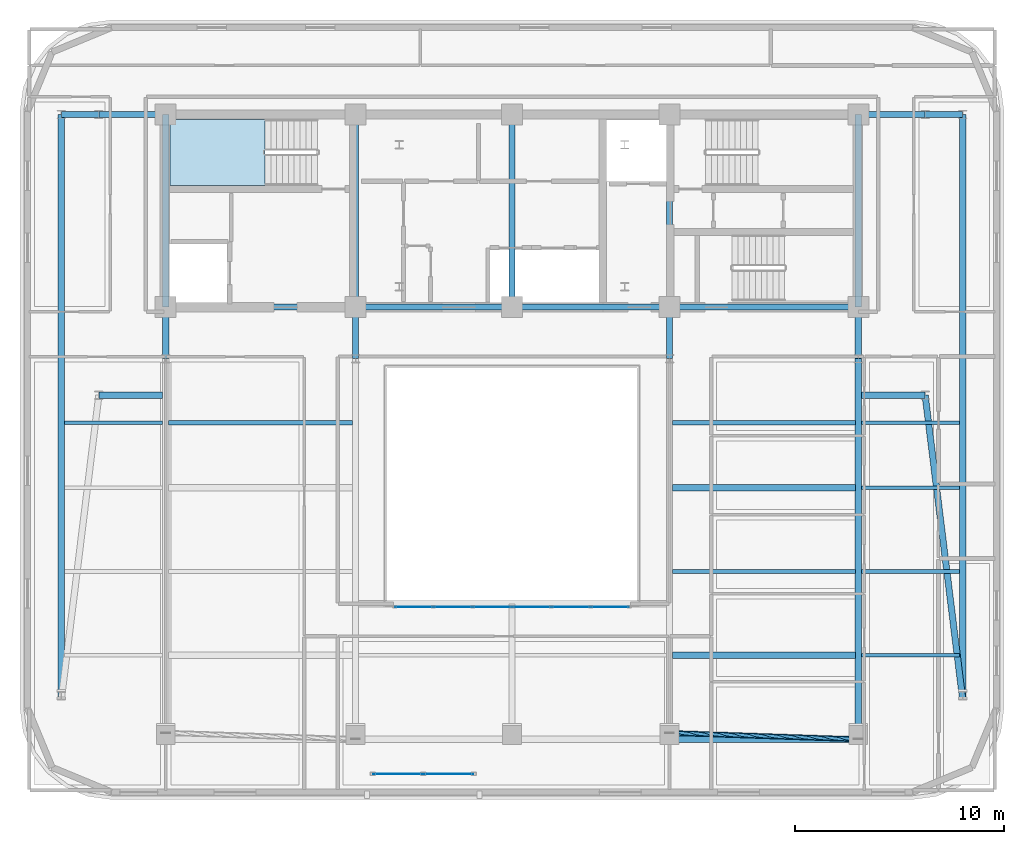
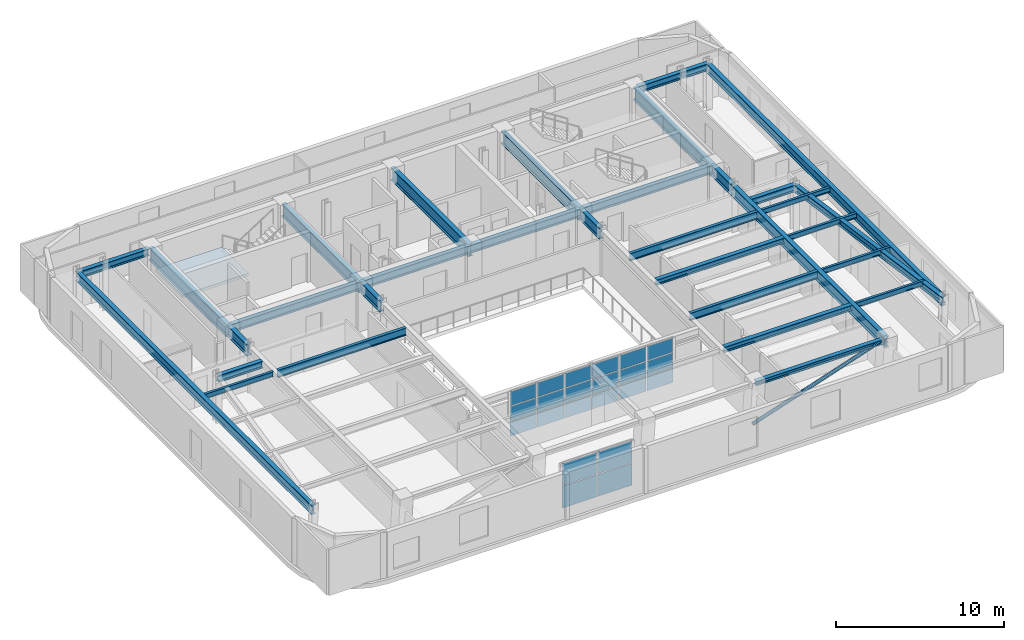
# One storey, part 3 of 13: 34 beams, 22 plates, 1 member, 1 slab, 3 elements without a shape of their own.
"""IFC4 building model written with IfcOpenShell, lengths in metres."""

from ifc_helpers import new_model, si_unit, direction, frame, origin, origin_2d, place, context, subcontext, project, spatial, polyline, rectangle, hollow_circle, i_section, outline, extrude, material, layer, layer_set, material_profile, profile_set, type_object, element, aggregate, save


model = new_model("IFC4")

# Units and contexts
model_context = context("Model", 3, precision=1e-05, world=origin(), true_north=direction((0.0, 1.0)))
body_context = subcontext(model_context, "Body", "Model", "MODEL_VIEW")
ifc_project = project(units=[si_unit("LENGTHUNIT", "METRE"), si_unit("AREAUNIT", "SQUARE_METRE"), si_unit("VOLUMEUNIT", "CUBIC_METRE"), si_unit("PLANEANGLEUNIT", "RADIAN"), si_unit("MASSUNIT", "GRAM", prefix="KILO")], contexts=[model_context])

# Site, building, storey
site_placement = place(None, origin())
site = spatial("IfcSite", under=ifc_project, at=site_placement, CompositionType="ELEMENT")
building_placement = place(site_placement, origin())
building = spatial("IfcBuilding", under=site, at=building_placement, Name="Zarnavel Station Tower", CompositionType="ELEMENT")
storey_placement = place(building_placement, frame((0.0, 0.0, 207.60009765625)))
storey = spatial("IfcBuildingStorey", under=building, at=storey_placement, Name="L56", CompositionType="ELEMENT", Elevation=207.60009765625)

# Member
ifc_material_1 = material(Name="Steel S355J2", Category="steel")
ifc_material_profile_1 = material_profile(ifc_material_1, hollow_circle(Radius=0.122314453125, WallThickness=0.010009765625, at=origin_2d()), Name="CHS244.5x10")
ifc_profile_set_1 = profile_set([ifc_material_profile_1], Name="Steel S355J2")
member_type = type_object("IfcMemberType", Name="DB_EXT_CHS245", PredefinedType="BRACE", material=ifc_profile_set_1)
member_placement = place(storey_placement, frame((36.35009765625, 7.415283203125, 0.0), z_axis=(0.937689468376, -0.031367620071, 0.346055679491), x_axis=(0.033433332735, 0.999440949863, 0.0)))
element("IfcMember", 1, at=member_placement, inside=storey, type_object=member_type, Name="L56 Persian Exterior Diagonal Frame Brace 2", PredefinedType="BRACE", context=body_context, shape_type="SweptSolid", body=[
    extrude(hollow_circle(Radius=0.122314453125, WallThickness=0.010009765625, at=origin_2d()), origin(), (0.0, 0.0, 1.0), 9.651123046875),
])

# Beams
ifc_material_2 = material(Name="Steel S355J2", Category="steel")
ifc_material_profile_2 = material_profile(ifc_material_2, i_section(OverallWidth=0.300048828125, OverallDepth=0.320068359375, WebThickness=0.011474609375, FlangeThickness=0.0205078125, FilletRadius=0.027099609375, at=origin_2d()), Name="HEB320")
ifc_profile_set_2 = profile_set([ifc_material_profile_2], Name="Steel S355J2")
beam_type_1 = type_object("IfcBeamType", Name="EB_HEB320", PredefinedType="SPANDREL", material=ifc_profile_set_2)
beam_1_placement = place(storey_placement, frame((36.35009765625, 7.112548828125, 3.179931640625), z_axis=(1.0, 0.0, 0.0), x_axis=(0.0, 1.0, 0.0)))
element("IfcBeam", 2, at=beam_1_placement, inside=storey, type_object=beam_type_1, Name="L56 South Raked Spandrel 4", PredefinedType="SPANDREL", context=body_context, shape_type="SweptSolid", body=[
    extrude(i_section(OverallWidth=0.300048828125, OverallDepth=0.320068359375, WebThickness=0.011474609375, FlangeThickness=0.0205078125, FilletRadius=0.027099609375, at=origin_2d()), origin(), (0.0, 0.0, 1.0), 9.0498046875),
])
ifc_material_3 = material(Name="Steel S355J2", Category="steel")
ifc_material_profile_3 = material_profile(ifc_material_3, i_section(OverallWidth=0.300048828125, OverallDepth=0.389892578125, WebThickness=0.010986328125, FlangeThickness=0.01904296875, FilletRadius=0.027099609375, at=origin_2d()), Name="HEA400")
ifc_profile_set_3 = profile_set([ifc_material_profile_3], Name="Steel S355J2")
beam_type_2 = type_object("IfcBeamType", Name="FB_HEA400", PredefinedType="BEAM", material=ifc_profile_set_3)
for number, where, z_axis, x_axis, name in (
    (3, (36.4951171875, 11.130126953125, 3.14501953125), (1.0, 0.0, 0.0), (0.0, 1.0, 0.0), "L56 East Bay Beam 1"),
    (4, (36.4951171875, 19.1650390625, 3.14501953125), (1.0, 0.0, 0.0), (0.0, 1.0, 0.0), "L56 East Bay Beam 3"),
):
    element("IfcBeam", number, at=place(storey_placement, frame(where, z_axis=z_axis, x_axis=x_axis)), inside=storey, type_object=beam_type_2, Name=name, PredefinedType="BEAM", context=body_context, shape_type="SweptSolid", body=[
        extrude(i_section(OverallWidth=0.300048828125, OverallDepth=0.389892578125, WebThickness=0.010986328125, FlangeThickness=0.01904296875, FilletRadius=0.027099609375, at=origin_2d()), origin(), (0.0, 0.0, 1.0), 8.759765625),
    ])
ifc_material_4 = material(Name="Steel S355J2", Category="steel")
ifc_material_profile_4 = material_profile(ifc_material_4, i_section(OverallWidth=0.2099609375, OverallDepth=0.550048828125, WebThickness=0.010986328125, FlangeThickness=0.01708984375, FilletRadius=0.02392578125, at=origin_2d()), Name="IPE550")
ifc_profile_set_4 = profile_set([ifc_material_profile_4], Name="Steel S355J2")
beam_type_3 = type_object("IfcBeamType", Name="FB_IPE550", PredefinedType="BEAM", material=ifc_profile_set_4)
beam_2_placement = place(storey_placement, frame((36.4951171875, 15.147705078125, 3.06494140625), z_axis=(1.0, 0.0, 0.0), x_axis=(0.0, 1.0, 0.0)))
element("IfcBeam", 5, at=beam_2_placement, inside=storey, type_object=beam_type_3, Name="L56 East Bay Beam 2", PredefinedType="BEAM", context=body_context, shape_type="SweptSolid", body=[
    extrude(i_section(OverallWidth=0.2099609375, OverallDepth=0.550048828125, WebThickness=0.010986328125, FlangeThickness=0.01708984375, FilletRadius=0.02392578125, at=origin_2d()), origin(), (0.0, 0.0, 1.0), 8.759765625),
])
beam_3_placement = place(storey_placement, frame((12.344970703125, 22.282470703125, 3.06494140625), z_axis=(1.0, 0.0, 0.0), x_axis=(0.0, 1.0, 0.0)))
element("IfcBeam", 6, at=beam_3_placement, inside=storey, type_object=beam_type_3, Name="L56 West Bay Beam 4", PredefinedType="BEAM", context=body_context, shape_type="SweptSolid", body=[
    extrude(i_section(OverallWidth=0.2099609375, OverallDepth=0.550048828125, WebThickness=0.010986328125, FlangeThickness=0.01708984375, FilletRadius=0.02392578125, at=origin_2d()), origin(), (0.0, 0.0, 1.0), 8.81005859375),
])
beam_4_placement = place(storey_placement, frame((36.4951171875, 22.282470703125, 3.06494140625), z_axis=(1.0, 0.0, 0.0), x_axis=(0.0, 1.0, 0.0)))
element("IfcBeam", 7, at=beam_4_placement, inside=storey, type_object=beam_type_3, Name="L56 East Bay Beam 4", PredefinedType="BEAM", context=body_context, shape_type="SweptSolid", body=[
    extrude(i_section(OverallWidth=0.2099609375, OverallDepth=0.550048828125, WebThickness=0.010986328125, FlangeThickness=0.01708984375, FilletRadius=0.02392578125, at=origin_2d()), origin(), (0.0, 0.0, 1.0), 8.759765625),
])
ifc_material_5 = material(Name="Steel S355J2", Category="steel")
ifc_material_profile_5 = material_profile(ifc_material_5, i_section(OverallWidth=0.300048828125, OverallDepth=0.5, WebThickness=0.014404296875, FlangeThickness=0.028076171875, FilletRadius=0.027099609375, at=origin_2d()), Name="HEB500")
ifc_profile_set_5 = profile_set([ifc_material_profile_5], Name="Steel S355J2")
beam_type_4 = type_object("IfcBeamType", Name="FG_HEB500", PredefinedType="USERDEFINED", material=ifc_profile_set_5)
beam_5_placement = place(storey_placement, frame((7.199951171875, 37.050048828125, 3.08984375), z_axis=(1.0, 0.0, 0.0), x_axis=(0.0, 1.0, 0.0)))
element("IfcBeam", 8, at=beam_5_placement, inside=storey, type_object=beam_type_4, Name="L56 West Wing North Tie 1", ObjectType="GIRDER", PredefinedType="USERDEFINED", context=body_context, shape_type="SweptSolid", body=[
    extrude(i_section(OverallWidth=0.300048828125, OverallDepth=0.5, WebThickness=0.014404296875, FlangeThickness=0.028076171875, FilletRadius=0.027099609375, at=origin_2d()), origin(), (0.0, 0.0, 1.0), 1.800048828125),
])
for number, where, z_axis, x_axis, name in (
    (9, (9.0, 23.60009765625, 3.08984375), (1.0, 0.0, 0.0), (0.0, 1.0, 0.0), "L56 West Wing South Tie 2"),
    (10, (9.0, 37.050048828125, 3.08984375), (1.0, 0.0, 0.0), (0.0, 1.0, 0.0), "L56 West Wing North Tie 2"),
):
    element("IfcBeam", number, at=place(storey_placement, frame(where, z_axis=z_axis, x_axis=x_axis)), inside=storey, type_object=beam_type_4, Name=name, ObjectType="GIRDER", PredefinedType="USERDEFINED", context=body_context, shape_type="SweptSolid", body=[
        extrude(i_section(OverallWidth=0.300048828125, OverallDepth=0.5, WebThickness=0.014404296875, FlangeThickness=0.028076171875, FilletRadius=0.027099609375, at=origin_2d()), origin(), (0.0, 0.0, 1.0), 3.054931640625),
    ])
for number, where, z_axis, x_axis, name in (
    (11, (45.544921875, 23.60009765625, 3.08984375), (1.0, 0.0, 0.0), (0.0, 1.0, 0.0), "L56 East Wing South Tie 1"),
    (12, (45.544921875, 37.050048828125, 3.08984375), (1.0, 0.0, 0.0), (0.0, 1.0, 0.0), "L56 East Wing North Tie 1"),
):
    element("IfcBeam", number, at=place(storey_placement, frame(where, z_axis=z_axis, x_axis=x_axis)), inside=storey, type_object=beam_type_4, Name=name, ObjectType="GIRDER", PredefinedType="USERDEFINED", context=body_context, shape_type="SweptSolid", body=[
        extrude(i_section(OverallWidth=0.300048828125, OverallDepth=0.5, WebThickness=0.014404296875, FlangeThickness=0.028076171875, FilletRadius=0.027099609375, at=origin_2d()), origin(), (0.0, 0.0, 1.0), 3.05517578125),
    ])
beam_6_placement = place(storey_placement, frame((48.60009765625, 23.60009765625, 3.08984375), z_axis=(0.122492626644, -0.992469423417, 0.0), x_axis=(0.992469423417, 0.122492626644, 0.0)))
element("IfcBeam", 13, at=beam_6_placement, inside=storey, type_object=beam_type_4, Name="L56 East Wing South Tie 2", ObjectType="GIRDER", PredefinedType="USERDEFINED", context=body_context, shape_type="SweptSolid", body=[
    extrude(i_section(OverallWidth=0.300048828125, OverallDepth=0.5, WebThickness=0.014404296875, FlangeThickness=0.028076171875, FilletRadius=0.027099609375, at=origin_2d()), origin(), (0.0, 0.0, 1.0), 14.693115234375),
])
beam_7_placement = place(storey_placement, frame((48.60009765625, 37.050048828125, 3.08984375), z_axis=(1.0, 0.0, 0.0), x_axis=(0.0, 1.0, 0.0)))
element("IfcBeam", 14, at=beam_7_placement, inside=storey, type_object=beam_type_4, Name="L56 East Wing North Tie 2", ObjectType="GIRDER", PredefinedType="USERDEFINED", context=body_context, shape_type="SweptSolid", body=[
    extrude(i_section(OverallWidth=0.300048828125, OverallDepth=0.5, WebThickness=0.014404296875, FlangeThickness=0.028076171875, FilletRadius=0.027099609375, at=origin_2d()), origin(), (0.0, 0.0, 1.0), 1.7998046875),
])
ifc_material_6 = material(Name="Steel S355J2", Category="steel")
ifc_material_profile_6 = material_profile(ifc_material_6, i_section(OverallWidth=0.300048828125, OverallDepth=0.60009765625, WebThickness=0.015380859375, FlangeThickness=0.030029296875, FilletRadius=0.027099609375, at=origin_2d()), Name="HEB600")
ifc_profile_set_6 = profile_set([ifc_material_profile_6], Name="Steel S355J2")
beam_type_5 = type_object("IfcBeamType", Name="FG_HEB600", PredefinedType="USERDEFINED", material=ifc_profile_set_6)
beam_8_placement = place(storey_placement, frame((12.199951171875, 27.820068359375, 3.039794921875), z_axis=(1.0, 0.0, 0.0), x_axis=(0.0, 1.0, 0.0)))
element("IfcBeam", 15, at=beam_8_placement, inside=storey, type_object=beam_type_5, Name="L56 Core Front Coupling Beam 1", ObjectType="GIRDER", PredefinedType="USERDEFINED", context=body_context, shape_type="SweptSolid", body=[
    extrude(i_section(OverallWidth=0.300048828125, OverallDepth=0.60009765625, WebThickness=0.015380859375, FlangeThickness=0.030029296875, FilletRadius=0.027099609375, at=origin_2d()), origin(), (0.0, 0.0, 1.0), 9.10009765625),
])
beam_9_placement = place(storey_placement, frame((21.300048828125, 27.820068359375, 3.039794921875), z_axis=(1.0, 0.0, 0.0), x_axis=(0.0, 1.0, 0.0)))
element("IfcBeam", 16, at=beam_9_placement, inside=storey, type_object=beam_type_5, Name="L56 Core Front Coupling Beam 2", ObjectType="GIRDER", PredefinedType="USERDEFINED", context=body_context, shape_type="SweptSolid", body=[
    extrude(i_section(OverallWidth=0.300048828125, OverallDepth=0.60009765625, WebThickness=0.015380859375, FlangeThickness=0.030029296875, FilletRadius=0.027099609375, at=origin_2d()), origin(), (0.0, 0.0, 1.0), 7.5),
])
beam_10_placement = place(storey_placement, frame((28.800048828125, 27.820068359375, 3.039794921875), z_axis=(1.0, 0.0, 0.0), x_axis=(0.0, 1.0, 0.0)))
element("IfcBeam", 17, at=beam_10_placement, inside=storey, type_object=beam_type_5, Name="L56 Core Front Coupling Beam 3", ObjectType="GIRDER", PredefinedType="USERDEFINED", context=body_context, shape_type="SweptSolid", body=[
    extrude(i_section(OverallWidth=0.300048828125, OverallDepth=0.60009765625, WebThickness=0.015380859375, FlangeThickness=0.030029296875, FilletRadius=0.027099609375, at=origin_2d()), origin(), (0.0, 0.0, 1.0), 7.550048828125),
])
beam_11_placement = place(storey_placement, frame((36.35009765625, 27.820068359375, 3.039794921875), z_axis=(1.0, 0.0, 0.0), x_axis=(0.0, 1.0, 0.0)))
element("IfcBeam", 18, at=beam_11_placement, inside=storey, type_object=beam_type_5, Name="L56 Core Front Coupling Beam 4", ObjectType="GIRDER", PredefinedType="USERDEFINED", context=body_context, shape_type="SweptSolid", body=[
    extrude(i_section(OverallWidth=0.300048828125, OverallDepth=0.60009765625, WebThickness=0.015380859375, FlangeThickness=0.030029296875, FilletRadius=0.027099609375, at=origin_2d()), origin(), (0.0, 0.0, 1.0), 9.0498046875),
])
ifc_material_7 = material(Name="Steel S355J2", Category="steel")
ifc_material_profile_7 = material_profile(ifc_material_7, i_section(OverallWidth=0.300048828125, OverallDepth=0.64990234375, WebThickness=0.01611328125, FlangeThickness=0.031005859375, FilletRadius=0.027099609375, at=origin_2d()), Name="HEB650")
ifc_profile_set_7 = profile_set([ifc_material_profile_7], Name="Steel S355J2")
beam_type_6 = type_object("IfcBeamType", Name="FG_HEB650", PredefinedType="USERDEFINED", material=ifc_profile_set_7)
for number, where, z_axis, x_axis, name in (
    (19, (7.199951171875, 9.017578125, 3.014892578125), (0.0, 1.0, 0.0), (-1.0, 0.0, 0.0), "L56 Wing NS Girder 1"),
    (20, (50.39990234375, 9.017578125, 3.014892578125), (0.0, 1.0, 0.0), (-1.0, 0.0, 0.0), "L56 Wing NS Girder 2"),
):
    element("IfcBeam", number, at=place(storey_placement, frame(where, z_axis=z_axis, x_axis=x_axis)), inside=storey, type_object=beam_type_6, Name=name, ObjectType="GIRDER", PredefinedType="USERDEFINED", context=body_context, shape_type="SweptSolid", body=[
        extrude(i_section(OverallWidth=0.300048828125, OverallDepth=0.64990234375, WebThickness=0.01611328125, FlangeThickness=0.031005859375, FilletRadius=0.027099609375, at=origin_2d()), origin(), (0.0, 0.0, 1.0), 28.032470703125),
    ])
ifc_material_8 = material(Name="Steel S355J2", Category="steel")
ifc_material_profile_8 = material_profile(ifc_material_8, i_section(OverallWidth=0.300048828125, OverallDepth=0.800048828125, WebThickness=0.017578125, FlangeThickness=0.032958984375, FilletRadius=0.030029296875, at=origin_2d()), Name="HEB800")
ifc_profile_set_8 = profile_set([ifc_material_profile_8], Name="Steel S355J2")
beam_type_7 = type_object("IfcBeamType", Name="FG_HEB800", PredefinedType="USERDEFINED", material=ifc_profile_set_8)
for number, where, z_axis, x_axis, name in (
    (21, (12.199951171875, 25.35009765625, 2.93994140625), (0.0, 1.0, 0.0), (-1.0, 0.0, 0.0), "L56 Inner-Zone NS Girder 1"),
    (22, (21.300048828125, 25.35009765625, 2.93994140625), (0.0, 1.0, 0.0), (-1.0, 0.0, 0.0), "L56 Inner-Zone NS Girder 2"),
    (23, (36.35009765625, 25.35009765625, 2.93994140625), (0.0, 1.0, 0.0), (-1.0, 0.0, 0.0), "L56 Inner-Zone NS Girder 4"),
):
    element("IfcBeam", number, at=place(storey_placement, frame(where, z_axis=z_axis, x_axis=x_axis)), inside=storey, type_object=beam_type_7, Name=name, ObjectType="GIRDER", PredefinedType="USERDEFINED", context=body_context, shape_type="SweptSolid", body=[
        extrude(i_section(OverallWidth=0.300048828125, OverallDepth=0.800048828125, WebThickness=0.017578125, FlangeThickness=0.032958984375, FilletRadius=0.030029296875, at=origin_2d()), origin(), (0.0, 0.0, 1.0), 2.469970703125),
    ])
beam_12_placement = place(storey_placement, frame((45.39990234375, 7.112548828125, 2.93994140625), z_axis=(0.0, 1.0, 0.0), x_axis=(-1.0, 0.0, 0.0)))
element("IfcBeam", 24, at=beam_12_placement, inside=storey, type_object=beam_type_7, Name="L56 South-Zone NS Girder 5", ObjectType="GIRDER", PredefinedType="USERDEFINED", context=body_context, shape_type="SweptSolid", body=[
    extrude(i_section(OverallWidth=0.300048828125, OverallDepth=0.800048828125, WebThickness=0.017578125, FlangeThickness=0.032958984375, FilletRadius=0.030029296875, at=origin_2d()), origin(), (0.0, 0.0, 1.0), 18.237548828125),
])
beam_13_placement = place(storey_placement, frame((45.39990234375, 25.35009765625, 2.93994140625), z_axis=(0.0, 1.0, 0.0), x_axis=(-1.0, 0.0, 0.0)))
element("IfcBeam", 25, at=beam_13_placement, inside=storey, type_object=beam_type_7, Name="L56 Inner-Zone NS Girder 5", ObjectType="GIRDER", PredefinedType="USERDEFINED", context=body_context, shape_type="SweptSolid", body=[
    extrude(i_section(OverallWidth=0.300048828125, OverallDepth=0.800048828125, WebThickness=0.017578125, FlangeThickness=0.032958984375, FilletRadius=0.030029296875, at=origin_2d()), origin(), (0.0, 0.0, 1.0), 2.469970703125),
])
ifc_material_9 = material(Name="Steel S355J2", Category="steel")
ifc_material_profile_9 = material_profile(ifc_material_9, i_section(OverallWidth=0.169921875, OverallDepth=0.360107421875, WebThickness=0.008056640625, FlangeThickness=0.0126953125, FilletRadius=0.01806640625, at=origin_2d()), Name="IPE360")
ifc_profile_set_9 = profile_set([ifc_material_profile_9], Name="Steel S355J2")
beam_type_8 = type_object("IfcBeamType", Name="FJ_IPE360", PredefinedType="JOIST", material=ifc_profile_set_9)
for number, where, z_axis, x_axis, name in (
    (26, (45.544921875, 11.130126953125, 3.159912109375), (1.0, 0.0, 0.0), (0.0, 1.0, 0.0), "L56 East Wing Joist 1"),
    (27, (45.544921875, 15.147705078125, 3.159912109375), (1.0, 0.0, 0.0), (0.0, 1.0, 0.0), "L56 East Wing Joist 2"),
    (28, (45.544921875, 19.1650390625, 3.159912109375), (1.0, 0.0, 0.0), (0.0, 1.0, 0.0), "L56 East Wing Joist 3"),
    (29, (7.344970703125, 22.282470703125, 3.159912109375), (1.0, 0.0, 0.0), (0.0, 1.0, 0.0), "L56 West Wing Joist 4"),
    (30, (45.544921875, 22.282470703125, 3.159912109375), (1.0, 0.0, 0.0), (0.0, 1.0, 0.0), "L56 East Wing Joist 4"),
):
    element("IfcBeam", number, at=place(storey_placement, frame(where, z_axis=z_axis, x_axis=x_axis)), inside=storey, type_object=beam_type_8, Name=name, PredefinedType="JOIST", context=body_context, shape_type="SweptSolid", body=[
        extrude(i_section(OverallWidth=0.169921875, OverallDepth=0.360107421875, WebThickness=0.008056640625, FlangeThickness=0.0126953125, FilletRadius=0.01806640625, at=origin_2d()), origin(), (0.0, 0.0, 1.0), 4.7099609375),
    ])
ifc_material_10 = material(Name="Steel S460M", Category="steel")
ifc_material_profile_10 = material_profile(ifc_material_10, i_section(OverallWidth=0.302001953125, OverallDepth=0.909912109375, WebThickness=0.02099609375, FlangeThickness=0.0400390625, FilletRadius=0.030029296875, at=origin_2d()), Name="HEM900")
ifc_profile_set_10 = profile_set([ifc_material_profile_10], Name="Steel S460M")
beam_type_9 = type_object("IfcBeamType", Name="TG_HEM900", PredefinedType="USERDEFINED", material=ifc_profile_set_10)
for number, where, z_axis, x_axis, name in (
    (31, (12.199951171875, 27.820068359375, 2.885009765625), (0.0, 1.0, 0.0), (-1.0, 0.0, 0.0), "L56 Core Spine Coupling Girder 1"),
    (32, (21.300048828125, 27.820068359375, 2.885009765625), (0.0, 1.0, 0.0), (-1.0, 0.0, 0.0), "L56 Core Spine Coupling Girder 2"),
    (33, (28.800048828125, 27.820068359375, 2.885009765625), (0.0, 1.0, 0.0), (-1.0, 0.0, 0.0), "L56 Core Spine Coupling Girder 3"),
    (34, (36.35009765625, 27.820068359375, 2.885009765625), (0.0, 1.0, 0.0), (-1.0, 0.0, 0.0), "L56 Core Spine Coupling Girder 4"),
    (35, (45.39990234375, 27.820068359375, 2.885009765625), (0.0, 1.0, 0.0), (-1.0, 0.0, 0.0), "L56 Core Spine Coupling Girder 5"),
):
    element("IfcBeam", number, at=place(storey_placement, frame(where, z_axis=z_axis, x_axis=x_axis)), inside=storey, type_object=beam_type_9, Name=name, ObjectType="GIRDER", PredefinedType="USERDEFINED", context=body_context, shape_type="SweptSolid", body=[
        extrude(i_section(OverallWidth=0.302001953125, OverallDepth=0.909912109375, WebThickness=0.02099609375, FlangeThickness=0.0400390625, FilletRadius=0.030029296875, at=origin_2d()), origin(), (0.0, 0.0, 1.0), 9.22998046875),
    ])

# Curtain wall, plates
ifc_material_11 = material(Name="Aluminium Dark Anodised and Solar-Control Glass", Category="aluminium")
ifc_layer_1 = layer(ifc_material_11, 0.179931640625)
ifc_layer_set_1 = layer_set([ifc_layer_1], Name="CWS5")
curtain_wall_type_1 = type_object("IfcCurtainWallType", Name="CWS5", PredefinedType="NOTDEFINED", material=ifc_layer_set_1)
curtain_wall_1_placement = place(storey_placement, origin())
curtain_wall_1 = element("IfcCurtainWall", 36, at=curtain_wall_1_placement, inside=storey, type_object=curtain_wall_type_1, Name="L56 Curtain Wall CWS5-L56-AS", PredefinedType="NOTDEFINED")
ifc_material_12 = material(Name="Double Low-E Dark Solar-Control Glass", Category="glass")
ifc_layer_2 = layer(ifc_material_12, 0.033935546875)
ifc_layer_set_2 = layer_set([ifc_layer_2], Name="CWS5_PNL")
plate_type_1 = type_object("IfcPlateType", Name="CWS5_PNL", PredefinedType="CURTAIN_PANEL", material=ifc_layer_set_2)
plate_1_placement = place(storey_placement, frame((24.106689453125, 13.449951171875, 0.06005859375), z_axis=(0.0, 0.0, 1.0), x_axis=(1.0, 0.0, 0.0)))
plate_1 = element("IfcPlate", 37, at=plate_1_placement, type_object=plate_type_1, Name="CW5 panel 1.1", PredefinedType="CURTAIN_PANEL", context=body_context, shape_type="SweptSolid", body=[
    extrude(rectangle(XDim=1.793212890625, YDim=0.028076171875, at=origin_2d()), origin(), (0.0, 0.0, 1.0), 1.023193359375),
])
plate_2_placement = place(storey_placement, frame((24.106689453125, 13.449951171875, 1.14306640625), z_axis=(0.0, 0.0, 1.0), x_axis=(1.0, 0.0, 0.0)))
plate_2 = element("IfcPlate", 38, at=plate_2_placement, type_object=plate_type_1, Name="CW5 panel 1.2", PredefinedType="CURTAIN_PANEL", context=body_context, shape_type="SweptSolid", body=[
    extrude(rectangle(XDim=1.793212890625, YDim=0.028076171875, at=origin_2d()), origin(), (0.0, 0.0, 1.0), 1.053466796875),
])
plate_3_placement = place(storey_placement, frame((24.106689453125, 13.449951171875, 2.2568359375), z_axis=(0.0, 0.0, 1.0), x_axis=(1.0, 0.0, 0.0)))
plate_3 = element("IfcPlate", 39, at=plate_3_placement, type_object=plate_type_1, Name="CW5 panel 1.3", PredefinedType="CURTAIN_PANEL", context=body_context, shape_type="SweptSolid", body=[
    extrude(rectangle(XDim=1.793212890625, YDim=0.028076171875, at=origin_2d()), origin(), (0.0, 0.0, 1.0), 1.023193359375),
])
plate_4_placement = place(storey_placement, frame((25.97509765625, 13.449951171875, 0.06005859375), z_axis=(0.0, 0.0, 1.0), x_axis=(1.0, 0.0, 0.0)))
plate_4 = element("IfcPlate", 40, at=plate_4_placement, type_object=plate_type_1, Name="CW5 panel 2.1", PredefinedType="CURTAIN_PANEL", context=body_context, shape_type="SweptSolid", body=[
    extrude(rectangle(XDim=1.8232421875, YDim=0.028076171875, at=origin_2d()), origin(), (0.0, 0.0, 1.0), 1.023193359375),
])
plate_5_placement = place(storey_placement, frame((25.97509765625, 13.449951171875, 1.14306640625), z_axis=(0.0, 0.0, 1.0), x_axis=(1.0, 0.0, 0.0)))
plate_5 = element("IfcPlate", 41, at=plate_5_placement, type_object=plate_type_1, Name="CW5 panel 2.2", PredefinedType="CURTAIN_PANEL", context=body_context, shape_type="SweptSolid", body=[
    extrude(rectangle(XDim=1.8232421875, YDim=0.028076171875, at=origin_2d()), origin(), (0.0, 0.0, 1.0), 1.053466796875),
])
plate_6_placement = place(storey_placement, frame((25.97509765625, 13.449951171875, 2.2568359375), z_axis=(0.0, 0.0, 1.0), x_axis=(1.0, 0.0, 0.0)))
plate_6 = element("IfcPlate", 42, at=plate_6_placement, type_object=plate_type_1, Name="CW5 panel 2.3", PredefinedType="CURTAIN_PANEL", context=body_context, shape_type="SweptSolid", body=[
    extrude(rectangle(XDim=1.8232421875, YDim=0.028076171875, at=origin_2d()), origin(), (0.0, 0.0, 1.0), 1.023193359375),
])
plate_7_placement = place(storey_placement, frame((27.8583984375, 13.449951171875, 0.06005859375), z_axis=(0.0, 0.0, 1.0), x_axis=(1.0, 0.0, 0.0)))
plate_7 = element("IfcPlate", 43, at=plate_7_placement, type_object=plate_type_1, Name="CW5 panel 3.1", PredefinedType="CURTAIN_PANEL", context=body_context, shape_type="SweptSolid", body=[
    extrude(rectangle(XDim=1.8232421875, YDim=0.028076171875, at=origin_2d()), origin(), (0.0, 0.0, 1.0), 1.023193359375),
])
plate_8_placement = place(storey_placement, frame((27.8583984375, 13.449951171875, 1.14306640625), z_axis=(0.0, 0.0, 1.0), x_axis=(1.0, 0.0, 0.0)))
plate_8 = element("IfcPlate", 44, at=plate_8_placement, type_object=plate_type_1, Name="CW5 panel 3.2", PredefinedType="CURTAIN_PANEL", context=body_context, shape_type="SweptSolid", body=[
    extrude(rectangle(XDim=1.8232421875, YDim=0.028076171875, at=origin_2d()), origin(), (0.0, 0.0, 1.0), 1.053466796875),
])
plate_9_placement = place(storey_placement, frame((27.8583984375, 13.449951171875, 2.2568359375), z_axis=(0.0, 0.0, 1.0), x_axis=(1.0, 0.0, 0.0)))
plate_9 = element("IfcPlate", 45, at=plate_9_placement, type_object=plate_type_1, Name="CW5 panel 3.3", PredefinedType="CURTAIN_PANEL", context=body_context, shape_type="SweptSolid", body=[
    extrude(rectangle(XDim=1.8232421875, YDim=0.028076171875, at=origin_2d()), origin(), (0.0, 0.0, 1.0), 1.023193359375),
])
plate_10_placement = place(storey_placement, frame((29.74169921875, 13.449951171875, 0.06005859375), z_axis=(0.0, 0.0, 1.0), x_axis=(1.0, 0.0, 0.0)))
plate_10 = element("IfcPlate", 46, at=plate_10_placement, type_object=plate_type_1, Name="CW5 panel 4.1", PredefinedType="CURTAIN_PANEL", context=body_context, shape_type="SweptSolid", body=[
    extrude(rectangle(XDim=1.8232421875, YDim=0.028076171875, at=origin_2d()), origin(), (0.0, 0.0, 1.0), 1.023193359375),
])
plate_11_placement = place(storey_placement, frame((29.74169921875, 13.449951171875, 1.14306640625), z_axis=(0.0, 0.0, 1.0), x_axis=(1.0, 0.0, 0.0)))
plate_11 = element("IfcPlate", 47, at=plate_11_placement, type_object=plate_type_1, Name="CW5 panel 4.2", PredefinedType="CURTAIN_PANEL", context=body_context, shape_type="SweptSolid", body=[
    extrude(rectangle(XDim=1.8232421875, YDim=0.028076171875, at=origin_2d()), origin(), (0.0, 0.0, 1.0), 1.053466796875),
])
plate_12_placement = place(storey_placement, frame((29.74169921875, 13.449951171875, 2.2568359375), z_axis=(0.0, 0.0, 1.0), x_axis=(1.0, 0.0, 0.0)))
plate_12 = element("IfcPlate", 48, at=plate_12_placement, type_object=plate_type_1, Name="CW5 panel 4.3", PredefinedType="CURTAIN_PANEL", context=body_context, shape_type="SweptSolid", body=[
    extrude(rectangle(XDim=1.8232421875, YDim=0.028076171875, at=origin_2d()), origin(), (0.0, 0.0, 1.0), 1.023193359375),
])
plate_13_placement = place(storey_placement, frame((31.625, 13.449951171875, 0.06005859375), z_axis=(0.0, 0.0, 1.0), x_axis=(1.0, 0.0, 0.0)))
plate_13 = element("IfcPlate", 49, at=plate_13_placement, type_object=plate_type_1, Name="CW5 panel 5.1", PredefinedType="CURTAIN_PANEL", context=body_context, shape_type="SweptSolid", body=[
    extrude(rectangle(XDim=1.8232421875, YDim=0.028076171875, at=origin_2d()), origin(), (0.0, 0.0, 1.0), 1.023193359375),
])
plate_14_placement = place(storey_placement, frame((31.625, 13.449951171875, 1.14306640625), z_axis=(0.0, 0.0, 1.0), x_axis=(1.0, 0.0, 0.0)))
plate_14 = element("IfcPlate", 50, at=plate_14_placement, type_object=plate_type_1, Name="CW5 panel 5.2", PredefinedType="CURTAIN_PANEL", context=body_context, shape_type="SweptSolid", body=[
    extrude(rectangle(XDim=1.8232421875, YDim=0.028076171875, at=origin_2d()), origin(), (0.0, 0.0, 1.0), 1.053466796875),
])
plate_15_placement = place(storey_placement, frame((31.625, 13.449951171875, 2.2568359375), z_axis=(0.0, 0.0, 1.0), x_axis=(1.0, 0.0, 0.0)))
plate_15 = element("IfcPlate", 51, at=plate_15_placement, type_object=plate_type_1, Name="CW5 panel 5.3", PredefinedType="CURTAIN_PANEL", context=body_context, shape_type="SweptSolid", body=[
    extrude(rectangle(XDim=1.8232421875, YDim=0.028076171875, at=origin_2d()), origin(), (0.0, 0.0, 1.0), 1.023193359375),
])
plate_16_placement = place(storey_placement, frame((33.493408203125, 13.449951171875, 0.06005859375), z_axis=(0.0, 0.0, 1.0), x_axis=(1.0, 0.0, 0.0)))
plate_16 = element("IfcPlate", 52, at=plate_16_placement, type_object=plate_type_1, Name="CW5 panel 6.1", PredefinedType="CURTAIN_PANEL", context=body_context, shape_type="SweptSolid", body=[
    extrude(rectangle(XDim=1.793212890625, YDim=0.028076171875, at=origin_2d()), origin(), (0.0, 0.0, 1.0), 1.023193359375),
])
plate_17_placement = place(storey_placement, frame((33.493408203125, 13.449951171875, 1.14306640625), z_axis=(0.0, 0.0, 1.0), x_axis=(1.0, 0.0, 0.0)))
plate_17 = element("IfcPlate", 53, at=plate_17_placement, type_object=plate_type_1, Name="CW5 panel 6.2", PredefinedType="CURTAIN_PANEL", context=body_context, shape_type="SweptSolid", body=[
    extrude(rectangle(XDim=1.793212890625, YDim=0.028076171875, at=origin_2d()), origin(), (0.0, 0.0, 1.0), 1.053466796875),
])
plate_18_placement = place(storey_placement, frame((33.493408203125, 13.449951171875, 2.2568359375), z_axis=(0.0, 0.0, 1.0), x_axis=(1.0, 0.0, 0.0)))
plate_18 = element("IfcPlate", 54, at=plate_18_placement, type_object=plate_type_1, Name="CW5 panel 6.3", PredefinedType="CURTAIN_PANEL", context=body_context, shape_type="SweptSolid", body=[
    extrude(rectangle(XDim=1.793212890625, YDim=0.028076171875, at=origin_2d()), origin(), (0.0, 0.0, 1.0), 1.023193359375),
])
aggregate(curtain_wall_1, [plate_1, plate_2, plate_3, plate_4, plate_5, plate_6, plate_7, plate_8, plate_9, plate_10, plate_11, plate_12, plate_13, plate_14, plate_15, plate_16, plate_17, plate_18])

ifc_material_13 = material(Name="Aluminium Dark Anodised and Solar-Control Glass", Category="aluminium")
ifc_layer_3 = layer(ifc_material_13, 0.179931640625)
ifc_layer_set_3 = layer_set([ifc_layer_3], Name="CWS6")
curtain_wall_type_2 = type_object("IfcCurtainWallType", Name="CWS6", PredefinedType="NOTDEFINED", material=ifc_layer_set_3)
curtain_wall_2_placement = place(storey_placement, origin())
curtain_wall_2 = element("IfcCurtainWall", 55, at=curtain_wall_2_placement, inside=storey, type_object=curtain_wall_type_2, Name="L56 Curtain Wall CWS6-LOG-L56", PredefinedType="NOTDEFINED")
ifc_material_14 = material(Name="Double Low-E Dark Solar-Control Glass", Category="glass")
ifc_layer_4 = layer(ifc_material_14, 0.0380859375)
ifc_layer_set_4 = layer_set([ifc_layer_4], Name="CWS6_PNL")
plate_type_2 = type_object("IfcPlateType", Name="CWS6_PNL", PredefinedType="CURTAIN_PANEL", material=ifc_layer_set_4)
plate_19_placement = place(storey_placement, frame((23.340087890625, 5.449951171875, 0.059814453125), z_axis=(0.0, 0.0, 1.0), x_axis=(1.0, 0.0, 0.0)))
plate_19 = element("IfcPlate", 56, at=plate_19_placement, type_object=plate_type_2, Name="CW6 panel 1.1", PredefinedType="CURTAIN_PANEL", context=body_context, shape_type="SweptSolid", body=[
    extrude(rectangle(XDim=2.360107421875, YDim=0.028076171875, at=origin_2d()), origin(), (0.0, 0.0, 1.0), 1.580078125),
])
plate_20_placement = place(storey_placement, frame((23.340087890625, 5.449951171875, 1.699951171875), z_axis=(0.0, 0.0, 1.0), x_axis=(1.0, 0.0, 0.0)))
plate_20 = element("IfcPlate", 57, at=plate_20_placement, type_object=plate_type_2, Name="CW6 panel 1.2", PredefinedType="CURTAIN_PANEL", context=body_context, shape_type="SweptSolid", body=[
    extrude(rectangle(XDim=2.360107421875, YDim=0.028076171875, at=origin_2d()), origin(), (0.0, 0.0, 1.0), 1.580078125),
])
plate_21_placement = place(storey_placement, frame((25.760009765625, 5.449951171875, 0.059814453125), z_axis=(0.0, 0.0, 1.0), x_axis=(1.0, 0.0, 0.0)))
plate_21 = element("IfcPlate", 58, at=plate_21_placement, type_object=plate_type_2, Name="CW6 panel 2.1", PredefinedType="CURTAIN_PANEL", context=body_context, shape_type="SweptSolid", body=[
    extrude(rectangle(XDim=2.360107421875, YDim=0.028076171875, at=origin_2d()), origin(), (0.0, 0.0, 1.0), 1.580078125),
])
plate_22_placement = place(storey_placement, frame((25.760009765625, 5.449951171875, 1.699951171875), z_axis=(0.0, 0.0, 1.0), x_axis=(1.0, 0.0, 0.0)))
plate_22 = element("IfcPlate", 59, at=plate_22_placement, type_object=plate_type_2, Name="CW6 panel 2.2", PredefinedType="CURTAIN_PANEL", context=body_context, shape_type="SweptSolid", body=[
    extrude(rectangle(XDim=2.360107421875, YDim=0.028076171875, at=origin_2d()), origin(), (0.0, 0.0, 1.0), 1.580078125),
])
aggregate(curtain_wall_2, [plate_19, plate_20, plate_21, plate_22])

# Stair, slab
ifc_material_15 = material(Name="Concrete C45/55", Category="concrete")
stair_type = type_object("IfcStairType", Name="ST_CORE_150", PredefinedType="HALF_TURN_STAIR", material=ifc_material_15)
stair_placement = place(storey_placement, origin())
stair = element("IfcStair", 60, at=stair_placement, inside=storey, type_object=stair_type, Name="L56 Core Exit Stair ST1", PredefinedType="HALF_TURN_STAIR")
ifc_material_16 = material(Name="Concrete C45/55", Category="concrete")
ifc_layer_5 = layer(ifc_material_16, 0.199951171875)
ifc_layer_set_5 = layer_set([ifc_layer_5], Name="SL_STAIR_LAND_200")
slab_type = type_object("IfcSlabType", Name="SL_STAIR_LAND_200", PredefinedType="LANDING", material=ifc_layer_set_5)
slab_placement = place(storey_placement, frame((0.0, 0.0, 1.599853515625)))
slab = element("IfcSlab", 61, at=slab_placement, type_object=slab_type, Name="ST1 landing 1", PredefinedType="LANDING", context=body_context, shape_type="SweptSolid", body=[
    extrude(outline(polyline([(16.9599609375, 36.820068359375), (12.39990234375, 36.820068359375), (12.39990234375, 33.659912109375), (16.9599609375, 33.659912109375), (16.9599609375, 36.820068359375)])), origin(), (0.0, 0.0, 1.0), 0.199951171875),
])
aggregate(stair, [slab])

save(model, "model.ifc")
